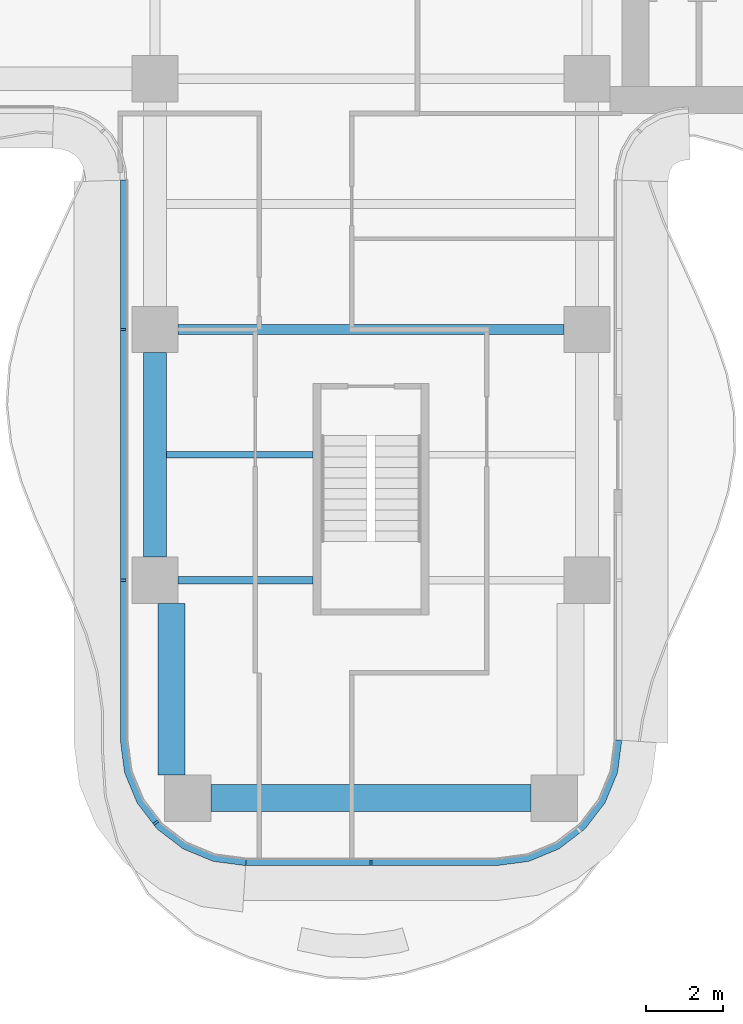
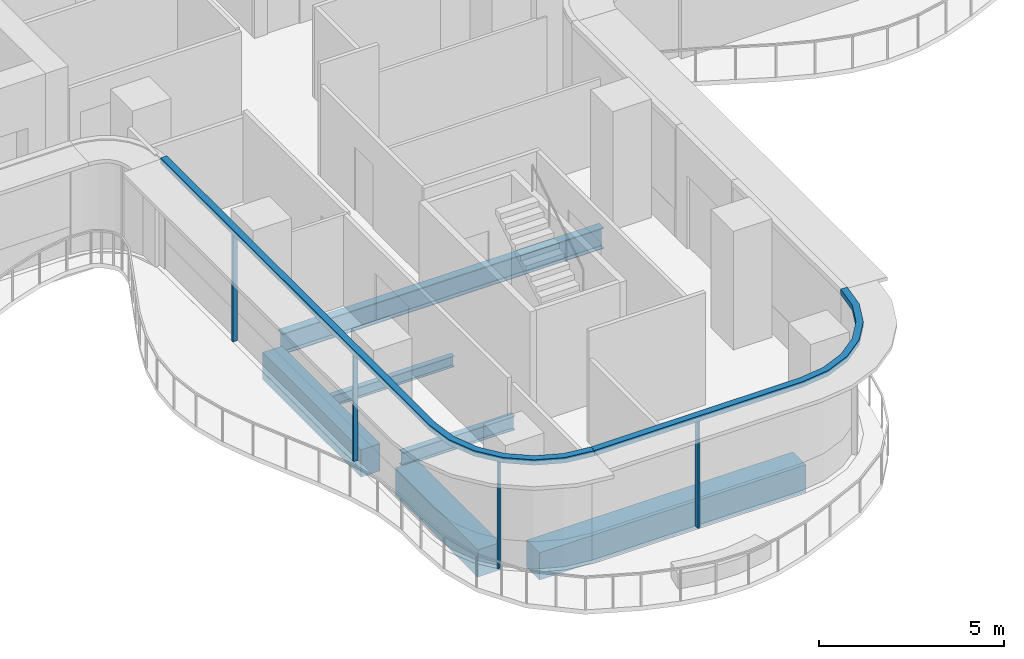
# One storey, part 2 of 18: 6 beams, 6 members, 2 elements without a shape of their own.
"""IFC4 building model written with IfcOpenShell, lengths in metres."""

from ifc_helpers import new_model, si_unit, direction, frame, origin, origin_2d, place, context, subcontext, project, spatial, polyline, rectangle, i_section, outline, extrude, source, transform, mapped, material, layer, layer_set, material_profile, profile_set, type_object, element, aggregate, save


model = new_model("IFC4")

# Units and contexts
model_context = context("Model", 3, precision=1e-05, world=origin(), true_north=direction((0.0, 1.0)))
body_context = subcontext(model_context, "Body", "Model", "MODEL_VIEW")
ifc_project = project(units=[si_unit("LENGTHUNIT", "METRE"), si_unit("AREAUNIT", "SQUARE_METRE"), si_unit("VOLUMEUNIT", "CUBIC_METRE"), si_unit("PLANEANGLEUNIT", "RADIAN"), si_unit("MASSUNIT", "GRAM", prefix="KILO")], contexts=[model_context])

# Site, building, storey
site_placement = place(None, origin())
site = spatial("IfcSite", under=ifc_project, at=site_placement, CompositionType="ELEMENT")
building_placement = place(site_placement, origin())
building = spatial("IfcBuilding", under=site, at=building_placement, Name="Trellis Farm Tower", CompositionType="ELEMENT")
storey_placement = place(building_placement, frame((0.0, 0.0, 189.300048828125)))
storey = spatial("IfcBuildingStorey", under=building, at=storey_placement, Name="L41", CompositionType="ELEMENT", Elevation=189.300048828125)

# Beams
ifc_material_1 = material(Name="Steel S355", Category="steel")
ifc_material_profile_1 = material_profile(ifc_material_1, i_section(OverallWidth=0.1904296875, OverallDepth=0.45703125, WebThickness=0.009033203125, FlangeThickness=0.014404296875, FilletRadius=0.01025390625, at=origin_2d()), Name="UB 457x191x74")
ifc_profile_set_1 = profile_set([ifc_material_profile_1], Name="Steel S355")
beam_type_1 = type_object("IfcBeamType", Name="UB 457x191x74", PredefinedType="BEAM", material=ifc_profile_set_1)
shared_shape_1 = source(origin(), body_context, "Body", "SweptSolid", [
    extrude(i_section(OverallWidth=0.1904296875, OverallDepth=0.45703125, WebThickness=0.009033203125, FlangeThickness=0.014404296875, FilletRadius=0.01025390625, at=origin_2d()), origin(), (0.0, 0.0, 1.0), 3.5),
])
beam_1_placement = place(storey_placement, frame((-5.0, -18.60009765625, -0.428466796875), z_axis=(1.0, 0.0, 0.0), x_axis=(0.0, 1.0, 0.0)))
element("IfcBeam", 1, at=beam_1_placement, inside=storey, type_object=beam_type_1, Name="Girder", PredefinedType="BEAM", context=body_context, shape_type="MappedRepresentation", body=[
    mapped(shared_shape_1, transform((0.0, 0.0, 0.0))),
])
ifc_material_2 = material(Name="Concrete C60/75", Category="concrete")
ifc_material_profile_2 = material_profile(ifc_material_2, rectangle(XDim=0.60009765625, YDim=0.89990234375, at=origin_2d()), Name="RC spandrel beam 600x900 C60/75")
ifc_profile_set_2 = profile_set([ifc_material_profile_2], Name="Concrete C60/75")
beam_type_2 = type_object("IfcBeamType", Name="RC spandrel beam 600x900 C60/75", PredefinedType="SPANDREL", material=ifc_profile_set_2)
shared_shape_2 = source(origin(), body_context, "Body", "SweptSolid", [
    extrude(rectangle(XDim=0.60009765625, YDim=0.89990234375, at=origin_2d()), origin(), (0.0, 0.0, 1.0), 5.300048828125),
])
beam_2_placement = place(storey_placement, frame((-5.60009765625, -18.0, -0.650146484375), z_axis=(0.0, 1.0, 0.0), x_axis=(-1.0, 0.0, 0.0)))
element("IfcBeam", 2, at=beam_2_placement, inside=storey, type_object=beam_type_2, Name="Girder", PredefinedType="SPANDREL", context=body_context, shape_type="MappedRepresentation", body=[
    mapped(shared_shape_2, transform((0.0, 0.0, 0.0))),
])
ifc_material_profile_3 = material_profile(ifc_material_1, i_section(OverallWidth=0.253662109375, OverallDepth=0.68359375, WebThickness=0.012451171875, FlangeThickness=0.021728515625, FilletRadius=0.01513671875, at=origin_2d()), Name="UB 686x254x140")
ifc_profile_set_3 = profile_set([ifc_material_profile_3], Name="Steel S355")
beam_type_3 = type_object("IfcBeamType", Name="UB 686x254x140", PredefinedType="BEAM", material=ifc_profile_set_3)
shared_shape_3 = source(origin(), body_context, "Body", "SweptSolid", [
    extrude(i_section(OverallWidth=0.253662109375, OverallDepth=0.68359375, WebThickness=0.012451171875, FlangeThickness=0.021728515625, FilletRadius=0.01513671875, at=origin_2d()), origin(), (0.0, 0.0, 1.0), 10.0),
])
beam_3_placement = place(storey_placement, frame((-5.0, -12.10009765625, -0.541748046875), z_axis=(1.0, 0.0, 0.0), x_axis=(0.0, 1.0, 0.0)))
element("IfcBeam", 3, at=beam_3_placement, inside=storey, type_object=beam_type_3, Name="Girder", PredefinedType="BEAM", context=body_context, shape_type="MappedRepresentation", body=[
    mapped(shared_shape_3, transform((0.0, 0.0, 0.0))),
])
ifc_material_profile_4 = material_profile(ifc_material_2, rectangle(XDim=0.699951171875, YDim=0.89990234375, at=origin_2d()), Name="RC spandrel beam 700x900 C60/75")
ifc_profile_set_4 = profile_set([ifc_material_profile_4], Name="Concrete C60/75")
beam_type_4 = type_object("IfcBeamType", Name="RC spandrel beam 700x900 C60/75", PredefinedType="SPANDREL", material=ifc_profile_set_4)
shared_shape_4 = source(origin(), body_context, "Body", "SweptSolid", [
    extrude(rectangle(XDim=0.699951171875, YDim=0.89990234375, at=origin_2d()), origin(), (0.0, 0.0, 1.0), 8.2998046875),
])
beam_4_placement = place(storey_placement, frame((-4.14990234375, -24.25, -0.650146484375), z_axis=(1.0, 0.0, 0.0), x_axis=(0.0, 1.0, 0.0)))
element("IfcBeam", 4, at=beam_4_placement, inside=storey, type_object=beam_type_4, Name="Girder", PredefinedType="SPANDREL", context=body_context, shape_type="MappedRepresentation", body=[
    mapped(shared_shape_4, transform((0.0, 0.0, 0.0))),
])
shared_shape_5 = source(origin(), body_context, "Body", "SweptSolid", [
    extrude(rectangle(XDim=0.699951171875, YDim=0.89990234375, at=origin_2d()), origin(), (0.0, 0.0, 1.0), 4.449951171875),
])
beam_5_placement = place(storey_placement, frame((-5.175048828125, -23.64990234375, -0.650146484375), z_axis=(0.0, 1.0, 0.0), x_axis=(-1.0, 0.0, 0.0)))
element("IfcBeam", 5, at=beam_5_placement, inside=storey, type_object=beam_type_4, Name="Girder", PredefinedType="SPANDREL", context=body_context, shape_type="MappedRepresentation", body=[
    mapped(shared_shape_5, transform((0.0, 0.0, 0.0))),
])
ifc_material_profile_5 = material_profile(ifc_material_1, i_section(OverallWidth=0.17138671875, OverallDepth=0.35498046875, WebThickness=0.00732421875, FlangeThickness=0.011474609375, FilletRadius=0.01025390625, at=origin_2d()), Name="UB 356x171x51")
ifc_profile_set_5 = profile_set([ifc_material_profile_5], Name="Steel S355")
beam_type_5 = type_object("IfcBeamType", Name="UB 356x171x51 joist", PredefinedType="JOIST", material=ifc_profile_set_5)
shared_shape_6 = source(origin(), body_context, "Body", "SweptSolid", [
    extrude(i_section(OverallWidth=0.17138671875, OverallDepth=0.35498046875, WebThickness=0.00732421875, FlangeThickness=0.011474609375, FilletRadius=0.01025390625, at=origin_2d()), origin(), (0.0, 0.0, 1.0), 3.800048828125),
])
beam_6_placement = place(storey_placement, frame((-5.300048828125, -15.35009765625, -0.37744140625), z_axis=(1.0, 0.0, 0.0), x_axis=(0.0, 1.0, 0.0)))
element("IfcBeam", 6, at=beam_6_placement, inside=storey, type_object=beam_type_5, Name="Floor beam", PredefinedType="JOIST", context=body_context, shape_type="MappedRepresentation", body=[
    mapped(shared_shape_6, transform((0.0, 0.0, 0.0))),
])

# Curtain wall, member
ifc_material_3 = material(Name="Aluminium and glass curtain wall", Category="aluminium")
ifc_layer_1 = layer(ifc_material_3, 0.18994140625)
ifc_layer_set_1 = layer_set([ifc_layer_1], Name="RIBBON CURTAIN WALL CW1")
curtain_wall_type = type_object("IfcCurtainWallType", Name="RIBBON CURTAIN WALL CW1", PredefinedType="NOTDEFINED", material=ifc_layer_set_1)
placement_1 = place(storey_placement, origin())
curtain_wall_1 = element("IfcCurtainWall", 7, at=placement_1, inside=storey, type_object=curtain_wall_type, Name="CW1 002", PredefinedType="NOTDEFINED")
ifc_material_4 = material(Name="Aluminium extrusion 6063-T6", Category="aluminium")
ifc_layer_2 = layer(ifc_material_4, 0.199951171875)
ifc_layer_set_2 = layer_set([ifc_layer_2], Name="Aluminium extrusion 6063-T6")
member_type_1 = type_object("IfcMemberType", Name="CW1 TRANSOM 200x180", PredefinedType="USERDEFINED", material=ifc_layer_set_2)
shared_shape_7 = source(origin(), body_context, "Body", "SweptSolid", [
    extrude(outline(polyline([(-6.5, -8.2314453125), (-6.5, -22.75), (-6.38916015625, -23.591064453125), (-6.064697265625, -24.375), (-5.548095703125, -25.048095703125), (-4.875, -25.564697265625), (-4.091064453125, -25.88916015625), (-3.25, -26.0), (-3.23681640625, -25.800048828125), (-4.0390625, -25.6943359375), (-4.774169921875, -25.389892578125), (-5.405517578125, -24.905517578125), (-5.889892578125, -24.274169921875), (-6.1943359375, -23.5390625), (-6.300048828125, -22.73681640625), (-6.300048828125, -8.224853515625), (-6.5, -8.2314453125)])), origin(), (0.0, 0.0, 1.0), 0.179931640625),
])
placement_2 = place(storey_placement, frame((0.0, 0.0, 3.52001953125)))
member_1 = element("IfcMember", 8, at=placement_2, type_object=member_type_1, Name="TR1 002", ObjectType="TRANSOM", PredefinedType="USERDEFINED", context=body_context, shape_type="MappedRepresentation", body=[
    mapped(shared_shape_7, transform((0.0, 0.0, 0.0))),
])

curtain_wall_2 = element("IfcCurtainWall", 9, at=placement_1, inside=storey, type_object=curtain_wall_type, Name="CW1 003", PredefinedType="NOTDEFINED")
shared_shape_8 = source(origin(), body_context, "Body", "SweptSolid", [
    extrude(outline(polyline([(-3.25, -26.0), (3.25, -26.0), (4.091064453125, -25.88916015625), (4.875, -25.564697265625), (5.548095703125, -25.048095703125), (6.064697265625, -24.375), (6.38916015625, -23.591064453125), (6.5, -22.75), (6.300048828125, -22.73681640625), (6.1943359375, -23.5390625), (5.889892578125, -24.274169921875), (5.405517578125, -24.905517578125), (4.774169921875, -25.389892578125), (4.0390625, -25.6943359375), (3.23681640625, -25.800048828125), (-3.23681640625, -25.800048828125), (-3.25, -26.0)])), origin(), (0.0, 0.0, 1.0), 0.179931640625),
])
member_2 = element("IfcMember", 10, at=placement_2, type_object=member_type_1, Name="TR1 003", ObjectType="TRANSOM", PredefinedType="USERDEFINED", context=body_context, shape_type="MappedRepresentation", body=[
    mapped(shared_shape_8, transform((0.0, 0.0, 0.0))),
])

# Member
ifc_material_profile_6 = material_profile(ifc_material_4, rectangle(XDim=0.06005859375, YDim=0.14990234375, at=origin_2d()), Name="MULLION 60x150")
ifc_profile_set_6 = profile_set([ifc_material_profile_6], Name="Aluminium extrusion 6063-T6")
member_type_2 = type_object("IfcMemberType", Name="CW1 MULLION 60x150", PredefinedType="MULLION", material=ifc_profile_set_6)
shared_shape_9 = source(origin(), body_context, "Body", "SweptSolid", [
    extrude(rectangle(XDim=0.06005859375, YDim=0.14990234375, at=origin_2d()), origin(), (0.0, 0.0, 1.0), 3.52001953125),
])
member_3_placement = place(storey_placement, frame((-6.425048828125, -12.10009765625, 0.0), z_axis=(0.0, 0.0, 1.0), x_axis=(0.0, -1.0, 0.0)))
member_3 = element("IfcMember", 11, at=member_3_placement, type_object=member_type_2, Name="MU1 002-01", PredefinedType="MULLION", context=body_context, shape_type="MappedRepresentation", body=[
    mapped(shared_shape_9, transform((0.0, 0.0, 0.0))),
])

member_4_placement = place(storey_placement, frame((-6.425048828125, -18.60009765625, 0.0), z_axis=(0.0, 0.0, 1.0), x_axis=(0.0, -1.0, 0.0)))
member_4 = element("IfcMember", 12, at=member_4_placement, type_object=member_type_2, Name="MU1 002-02", PredefinedType="MULLION", context=body_context, shape_type="MappedRepresentation", body=[
    mapped(shared_shape_9, transform((0.0, 0.0, 0.0))),
])

member_5_placement = place(storey_placement, frame((-5.578369140625, -24.885498046875, 0.0), z_axis=(0.0, 0.0, 1.0), x_axis=(0.608761429009, -0.793353340291, 0.0)))
member_5 = element("IfcMember", 13, at=member_5_placement, type_object=member_type_2, Name="MU1 002-03", PredefinedType="MULLION", context=body_context, shape_type="MappedRepresentation", body=[
    mapped(shared_shape_9, transform((0.0, 0.0, 0.0))),
])

aggregate(curtain_wall_1, [member_3, member_4, member_5, member_1])

member_6_placement = place(storey_placement, frame((0.0, -25.925048828125, 0.0), z_axis=(0.0, 0.0, 1.0), x_axis=(1.0, 0.0, 0.0)))
member_6 = element("IfcMember", 14, at=member_6_placement, type_object=member_type_2, Name="MU1 003-01", PredefinedType="MULLION", context=body_context, shape_type="MappedRepresentation", body=[
    mapped(shared_shape_9, transform((0.0, 0.0, 0.0))),
])

aggregate(curtain_wall_2, [member_6, member_2])

save(model, "model.ifc")
